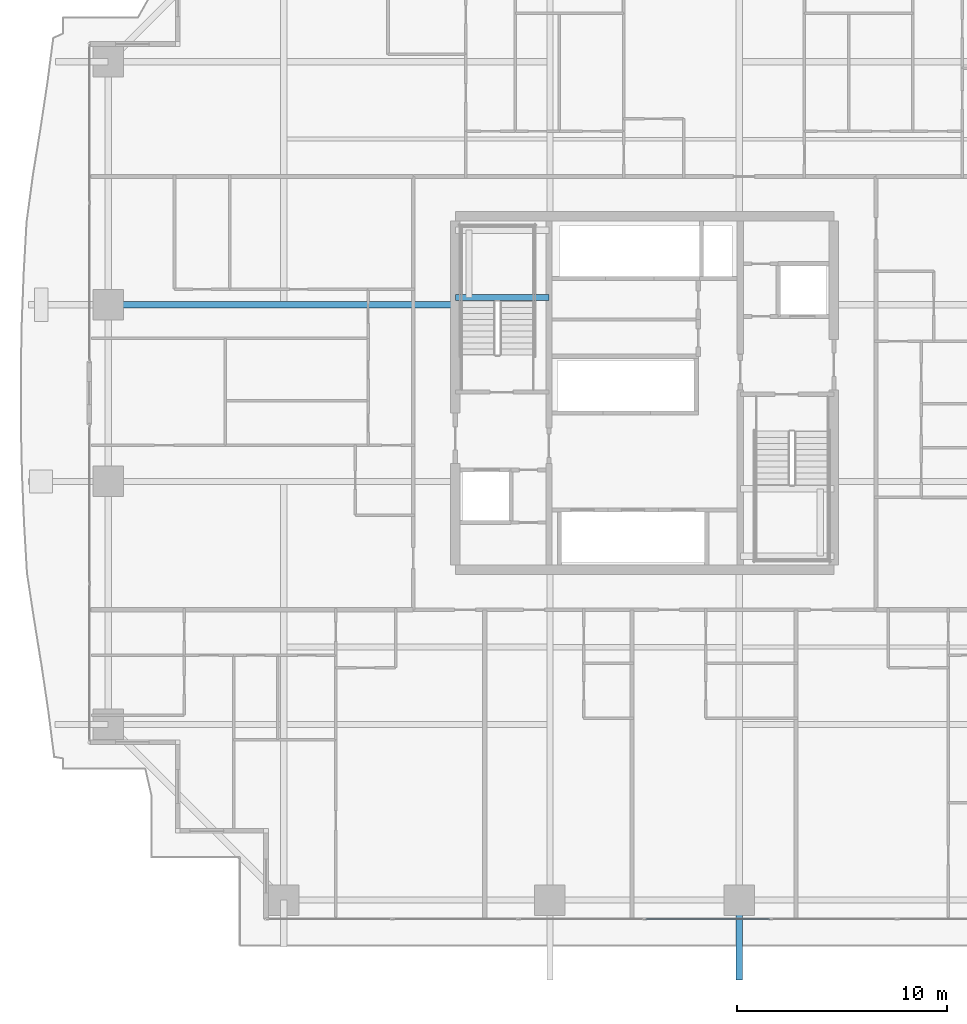
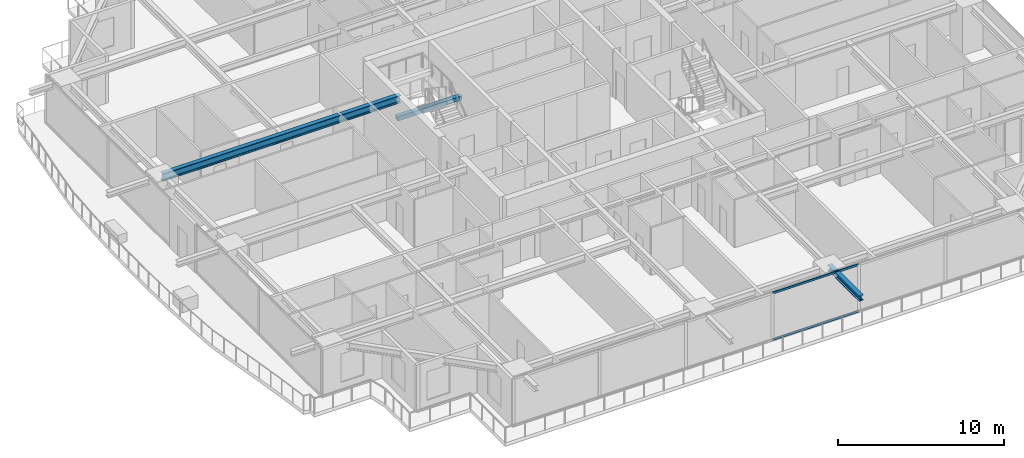
# One storey, part 9 of 35: 3 beams, 2 members, 1 element without a shape of its own.
"""IFC4 building model written with IfcOpenShell, lengths in metres."""

import ifcopenshell
import ifcopenshell.guid

model = None  # the IFC model being written
_history = None  # IfcOwnerHistory: only IFC2X3 demands one
_inside = {}  # id of a spatial element -> (the spatial element, [elements in it])
_under = {}  # id of a project, library or spatial element -> (it, [spatial elements below it])
_declared = {}  # id of a project -> (the project, [libraries it declares])
_typed = {}  # id of a type object -> (the type object, [elements of that type])
_made_of = {}  # id of a material, layer set ... -> (it, [elements and type objects made of it])


def new_model(schema):
    """Start an empty IFC model of exactly this schema.

    Asked for "IFC4X3", IfcOpenShell would pick the latest addendum, in which some entities
    have other attributes; the version numbers below select the first issue.
    IFC2X3 requires an IfcOwnerHistory on every rooted entity: one is made here for all.
    """
    global model, _history
    if schema == "IFC4X3":
        model = ifcopenshell.file(schema_version=(4, 3, 0, 0))
    else:
        model = ifcopenshell.file(schema=schema)
    _inside.clear()
    _under.clear()
    _declared.clear()
    _typed.clear()
    _made_of.clear()
    _history = None
    if model.schema == "IFC2X3":
        org = make("IfcOrganization", Name="unknown")
        user = make(
            "IfcPersonAndOrganization",
            ThePerson=make("IfcPerson", FamilyName="unknown"),
            TheOrganization=org,
        )
        app = make(
            "IfcApplication",
            ApplicationDeveloper=org,
            Version="unknown",
            ApplicationFullName="unknown",
            ApplicationIdentifier="unknown",
        )
        _history = make(
            "IfcOwnerHistory",
            OwningUser=user,
            OwningApplication=app,
            ChangeAction="ADDED",
            CreationDate=0,
        )
    return model


def make(cls, **values):
    """One entity of the class cls with the attributes given. An attribute that is None is left unset."""
    return model.create_entity(
        cls, **{name: value for name, value in values.items() if value is not None}
    )


def rooted(cls, **values):
    """An entity with a GlobalId (a new one), such as an element, a storey or a relation."""
    return make(cls, GlobalId=ifcopenshell.guid.new(), OwnerHistory=_history, **values)


def si_unit(unit_type, name, prefix=None):
    """IfcSIUnit, for example si_unit("LENGTHUNIT", "METRE", prefix="MILLI")."""
    return make("IfcSIUnit", UnitType=unit_type, Prefix=prefix, Name=name)


def assignment(units):
    """IfcUnitAssignment: the units of a project."""
    return None if units is None else make("IfcUnitAssignment", Units=units)


def point(xyz):
    """IfcCartesianPoint."""
    return None if xyz is None else make("IfcCartesianPoint", Coordinates=xyz)


def direction(xyz):
    """IfcDirection."""
    return None if xyz is None else make("IfcDirection", DirectionRatios=xyz)


def frame(location, z_axis=None, x_axis=None):
    """IfcAxis2Placement3D, a coordinate frame: its origin and axes. An axis left out is left unset."""
    return make(
        "IfcAxis2Placement3D",
        Location=point(location),
        Axis=direction(z_axis),
        RefDirection=direction(x_axis),
    )


def frame_2d(location, x_axis=None):
    """IfcAxis2Placement2D, a coordinate frame in the plane: its origin and x axis."""
    return make(
        "IfcAxis2Placement2D", Location=point(location), RefDirection=direction(x_axis)
    )


def origin():
    """The frame at (0, 0, 0) with its axes left unset."""
    return frame((0.0, 0.0, 0.0))


def origin_2d():
    """The frame at (0, 0) in the plane with its x axis left unset."""
    return frame_2d((0.0, 0.0))


def place(relative_to, where):
    """IfcLocalPlacement: puts the frame where relative to a parent placement (None: the world)."""
    return make(
        "IfcLocalPlacement", PlacementRelTo=relative_to, RelativePlacement=where
    )


def context(
    kind, dimensions, precision=None, world=None, true_north=None, identifier=None
):
    """IfcGeometricRepresentationContext, for example the 3D "Model" context."""
    return make(
        "IfcGeometricRepresentationContext",
        ContextIdentifier=identifier,
        ContextType=kind,
        CoordinateSpaceDimension=dimensions,
        Precision=precision,
        WorldCoordinateSystem=world,
        TrueNorth=true_north,
    )


def subcontext(parent, identifier, kind, view, scale=None):
    """IfcGeometricRepresentationSubContext, for example "Body" below "Model"."""
    return make(
        "IfcGeometricRepresentationSubContext",
        ContextIdentifier=identifier,
        ContextType=kind,
        ParentContext=parent,
        TargetScale=scale,
        TargetView=view,
    )


def project(units=None, contexts=None):
    """IfcProject with its units and contexts."""
    return rooted(
        "IfcProject",
        Name="project",
        RepresentationContexts=contexts,
        UnitsInContext=assignment(units),
    )


def spatial(cls, under=None, at=None, **own):
    """A site, building, storey or space (cls), placed at a placement, below another one or the project."""
    s = rooted(cls, ObjectPlacement=at, **own)
    if under is not None:
        _under.setdefault(under.id(), (under, []))[1].append(s)
    return s


def profile(cls, at=None, kind="AREA", **sizes):
    """A parametric profile (cls). Its sizes go by their IFC names, for example OverallWidth=200.0."""
    return make(cls, ProfileType=kind, Position=at, **sizes)


def rectangle(**sizes):
    """IfcRectangleProfileDef."""
    return profile("IfcRectangleProfileDef", **sizes)


def hollow_rectangle(**sizes):
    """IfcRectangleHollowProfileDef."""
    return profile("IfcRectangleHollowProfileDef", **sizes)


def i_section(**sizes):
    """IfcIShapeProfileDef."""
    return profile("IfcIShapeProfileDef", **sizes)


def extrude(swept, where, along, depth):
    """IfcExtrudedAreaSolid: the profile swept, set in the frame where, extruded along a direction by depth."""
    return make(
        "IfcExtrudedAreaSolid",
        SweptArea=swept,
        Position=where,
        ExtrudedDirection=direction(along),
        Depth=depth,
    )


def shape(context_of_items, identifier, shape_type, items):
    """IfcShapeRepresentation: the items that make up one representation, for example the "Body"."""
    return make(
        "IfcShapeRepresentation",
        ContextOfItems=context_of_items,
        RepresentationIdentifier=identifier,
        RepresentationType=shape_type,
        Items=items,
    )


def source(mapping_origin, context_of_items, identifier, shape_type, items):
    """IfcRepresentationMap: a shape defined once, which mapped items show again and again."""
    return make(
        "IfcRepresentationMap",
        MappingOrigin=mapping_origin,
        MappedRepresentation=shape(context_of_items, identifier, shape_type, items),
    )


def transform(
    local_origin,
    x_axis=None,
    y_axis=None,
    z_axis=None,
    scale=None,
    scale2=None,
    scale3=None,
    uniform=True,
):
    """IfcCartesianTransformationOperator3D, or its non-uniform kind. x_axis, y_axis, z_axis: its Axis1, 2, 3."""
    if uniform:
        return make(
            "IfcCartesianTransformationOperator3D",
            Axis1=direction(x_axis),
            Axis2=direction(y_axis),
            LocalOrigin=point(local_origin),
            Scale=scale,
            Axis3=direction(z_axis),
        )
    return make(
        "IfcCartesianTransformationOperator3DnonUniform",
        Axis1=direction(x_axis),
        Axis2=direction(y_axis),
        LocalOrigin=point(local_origin),
        Scale=scale,
        Axis3=direction(z_axis),
        Scale2=scale2,
        Scale3=scale3,
    )


def mapped(mapping_source, mapping_target):
    """IfcMappedItem: shows the shape of a source again, moved by a transform."""
    return make(
        "IfcMappedItem", MappingSource=mapping_source, MappingTarget=mapping_target
    )


def material(Name=None, Category=None):
    """IfcMaterial."""
    return make("IfcMaterial", Name=Name, Category=Category)


def layer(
    of_material, thickness, ventilated=None, Name=None, Category=None, Priority=None
):
    """IfcMaterialLayer: one layer of a wall or slab, of a material (None: an air gap)."""
    return make(
        "IfcMaterialLayer",
        Material=of_material,
        LayerThickness=thickness,
        IsVentilated=ventilated,
        Name=Name,
        Category=Category,
        Priority=Priority,
    )


def layer_set(layers, Name=None):
    """IfcMaterialLayerSet."""
    return make("IfcMaterialLayerSet", MaterialLayers=layers, LayerSetName=Name)


def material_profile(
    of_material, cross_section, Name=None, Category=None, Priority=None
):
    """IfcMaterialProfile: a cross section and its material."""
    return make(
        "IfcMaterialProfile",
        Name=Name,
        Material=of_material,
        Profile=cross_section,
        Priority=Priority,
        Category=Category,
    )


def profile_set(profiles, Name=None, composite=None):
    """IfcMaterialProfileSet."""
    return make(
        "IfcMaterialProfileSet",
        Name=Name,
        MaterialProfiles=profiles,
        CompositeProfile=composite,
    )


def made_of(thing, what):
    """Note that an element or type object is made of a material, layer set ...; save() writes the relation."""
    if what is not None:
        _made_of.setdefault(what.id(), (what, []))[1].append(thing)
    return thing


def type_object(cls, material=None, **own):
    """A type object (cls), such as IfcWallType, which elements share."""
    return made_of(rooted(cls, **own), material)


def element(
    cls,
    number,
    at=None,
    inside=None,
    cuts=None,
    type_object=None,
    material=None,
    context=None,
    identifier="Body",
    shape_type=None,
    held_by="IfcProductDefinitionShape",
    body=None,
    shapes=None,
    **own,
):
    """One element of the class cls, such as IfcWall. Its Tag is "e" and its number.

    at: its placement. inside: the storey or other place that contains it. cuts: it is an
    opening in that element (IfcRelVoidsElement). A single representation is given by context,
    identifier, shape_type and body (its items); several are given by shapes. held_by: the class
    of the entity that holds the representations. save() writes the other relations.
    """
    e = rooted(cls, Tag="e%d" % number, ObjectPlacement=at, **own)
    if body is not None:
        shapes = [shape(context, identifier, shape_type, body)]
    if shapes is not None:
        e.Representation = make(held_by, Representations=shapes)
    if inside is not None:
        _inside.setdefault(inside.id(), (inside, []))[1].append(e)
    if cuts is not None:
        rooted(
            "IfcRelVoidsElement", RelatingBuildingElement=cuts, RelatedOpeningElement=e
        )
    if type_object is not None:
        _typed.setdefault(type_object.id(), (type_object, []))[1].append(e)
    return made_of(e, material)


def aggregate(whole, parts):
    """IfcRelAggregates: a whole, such as a stair, and the parts it consists of."""
    return rooted("IfcRelAggregates", RelatingObject=whole, RelatedObjects=parts)


def save(model, path):
    """Write the relations noted so far, then the file.

    IfcRelAggregates (storeys below a building ...), IfcRelContainedInSpatialStructure (elements
    in a storey), IfcRelDefinesByType, IfcRelAssociatesMaterial and IfcRelDeclares: one each for
    every whole, place, type object, material and project.
    """
    for whole, parts in _under.values():
        aggregate(whole, parts)
    for where, things in _inside.values():
        rooted(
            "IfcRelContainedInSpatialStructure",
            RelatedElements=things,
            RelatingStructure=where,
        )
    for kind, things in _typed.values():
        rooted("IfcRelDefinesByType", RelatedObjects=things, RelatingType=kind)
    for what, things in _made_of.values():
        rooted("IfcRelAssociatesMaterial", RelatedObjects=things, RelatingMaterial=what)
    for by, libraries in _declared.values():
        rooted("IfcRelDeclares", RelatingContext=by, RelatedDefinitions=libraries)
    model.write(path)


model = new_model("IFC4")

# Units and contexts
model_context = context("Model", 3, precision=1e-05, world=origin(), true_north=direction((0.0, 1.0)))
body_context = subcontext(model_context, "Body", "Model", "MODEL_VIEW")
ifc_project = project(units=[si_unit("LENGTHUNIT", "METRE"), si_unit("AREAUNIT", "SQUARE_METRE"), si_unit("VOLUMEUNIT", "CUBIC_METRE"), si_unit("PLANEANGLEUNIT", "RADIAN"), si_unit("MASSUNIT", "GRAM", prefix="KILO")], contexts=[model_context])

# Site, building, storey
site_placement = place(None, origin())
site = spatial("IfcSite", under=ifc_project, at=site_placement, CompositionType="ELEMENT")
building_placement = place(site_placement, origin())
building = spatial("IfcBuilding", under=site, at=building_placement, Name="Serunith Strait Residences", CompositionType="ELEMENT")
storey_placement = place(building_placement, frame((0.0, 0.0, 56.699951171875)))
storey = spatial("IfcBuildingStorey", under=building, at=storey_placement, Name="L13", CompositionType="ELEMENT", Elevation=56.699951171875)

# Beams
ifc_material_1 = material(Name="Steel S355J2", Category="steel")
ifc_material_profile_1 = material_profile(ifc_material_1, i_section(OverallWidth=0.300048828125, OverallDepth=0.550048828125, WebThickness=0.014892578125, FlangeThickness=0.029052734375, FilletRadius=0.027099609375, at=origin_2d()), Name="HEB 550")
ifc_profile_set_1 = profile_set([ifc_material_profile_1], Name="Steel S355J2")
beam_type_1 = type_object("IfcBeamType", Name="BM-HEB550", PredefinedType="BEAM", material=ifc_profile_set_1)
shared_shape_1 = source(origin(), body_context, "Body", "SweptSolid", [
    extrude(i_section(OverallWidth=0.300048828125, OverallDepth=0.550048828125, WebThickness=0.014892578125, FlangeThickness=0.029052734375, FilletRadius=0.027099609375, at=origin_2d()), origin(), (0.0, 0.0, 1.0), 16.5),
])
beam_1_placement = place(storey_placement, frame((23.39990234375, 29.39990234375, 3.212158203125), z_axis=(-1.0, 0.0, 0.0), x_axis=(0.0, -1.0, 0.0)))
element("IfcBeam", 1, at=beam_1_placement, inside=storey, type_object=beam_type_1, Name="L13 Primary Floor Girder TC-W3", PredefinedType="BEAM", context=body_context, shape_type="MappedRepresentation", body=[
    mapped(shared_shape_1, transform((0.0, 0.0, 0.0), scale=1.0)),
])
ifc_material_profile_2 = material_profile(ifc_material_1, i_section(OverallWidth=0.300048828125, OverallDepth=0.39990234375, WebThickness=0.013427734375, FlangeThickness=0.02392578125, FilletRadius=0.027099609375, at=origin_2d()), Name="HEB 400")
ifc_profile_set_2 = profile_set([ifc_material_profile_2], Name="Steel S355J2")
beam_type_2 = type_object("IfcBeamType", Name="BM-HEB400", PredefinedType="BEAM", material=ifc_profile_set_2)
shared_shape_2 = source(origin(), body_context, "Body", "SweptSolid", [
    extrude(i_section(OverallWidth=0.300048828125, OverallDepth=0.39990234375, WebThickness=0.013427734375, FlangeThickness=0.02392578125, FilletRadius=0.027099609375, at=origin_2d()), origin(), (0.0, 0.0, 1.0), 3.800048828125),
])
beam_2_placement = place(storey_placement, frame((36.89990234375, 1.10009765625, 3.257080078125), z_axis=(0.0, -1.0, 0.0), x_axis=(1.0, 0.0, 0.0)))
element("IfcBeam", 2, at=beam_2_placement, inside=storey, type_object=beam_type_2, Name="L14 Cantilevered Balcony Rib TC-S3", PredefinedType="BEAM", context=body_context, shape_type="MappedRepresentation", body=[
    mapped(shared_shape_2, transform((0.0, 0.0, 0.0), scale=1.0)),
])
ifc_material_2 = material(Name="Concrete C60/75", Category="concrete")
ifc_material_profile_3 = material_profile(ifc_material_2, rectangle(XDim=0.300048828125, YDim=0.300048828125, at=origin_2d()), Name="RC 300x300")
ifc_profile_set_3 = profile_set([ifc_material_profile_3], Name="Concrete C60/75")
beam_type_3 = type_object("IfcBeamType", Name="BM-LAND-300x300", PredefinedType="BEAM", material=ifc_profile_set_3)
shared_shape_3 = source(origin(), body_context, "Body", "SweptSolid", [
    extrude(rectangle(XDim=0.300048828125, YDim=0.300048828125, at=origin_2d()), origin(), (0.0, 0.0, 1.0), 4.4501953125),
])
beam_3_placement = place(storey_placement, frame((23.39990234375, 29.75, 1.525146484375), z_axis=(1.0, 0.0, 0.0), x_axis=(0.0, 1.0, 0.0)))
element("IfcBeam", 3, at=beam_3_placement, inside=storey, type_object=beam_type_3, Name="L13 ST-1 Landing Support Beam 1", PredefinedType="BEAM", context=body_context, shape_type="MappedRepresentation", body=[
    mapped(shared_shape_3, transform((0.0, 0.0, 0.0), scale=1.0)),
])

# Curtain wall, members
ifc_material_3 = material(Name="Pale-Champagne Anodised Aluminium", Category="aluminium")
ifc_layer = layer(ifc_material_3, 0.199951171875, Name="Pale-Champagne Anodised Aluminium")
ifc_layer_set = layer_set([ifc_layer], Name="Pale-Champagne Anodised Aluminium")
curtain_wall_type = type_object("IfcCurtainWallType", Name="CW-SYS1", PredefinedType="NOTDEFINED", material=ifc_layer_set)
curtain_wall_placement = place(storey_placement, origin())
curtain_wall = element("IfcCurtainWall", 4, at=curtain_wall_placement, inside=storey, type_object=curtain_wall_type, Name="L13 S Unitised Fritted Curtain Wall", PredefinedType="NOTDEFINED")
ifc_material_profile_4 = material_profile(ifc_material_3, hollow_rectangle(XDim=0.06005859375, YDim=0.159912109375, WallThickness=0.00341796875, InnerFilletRadius=0.00537109375, OuterFilletRadius=0.0087890625, at=origin_2d()), Name="ALU 160x60x3.5")
ifc_profile_set_4 = profile_set([ifc_material_profile_4], Name="Pale-Champagne Anodised Aluminium")
member_type = type_object("IfcMemberType", Name="CW-SYS1-TRAN", PredefinedType="USERDEFINED", material=ifc_profile_set_4)
shared_shape_4 = source(origin(), body_context, "Body", "SweptSolid", [
    extrude(hollow_rectangle(XDim=0.06005859375, YDim=0.159912109375, WallThickness=0.00341796875, InnerFilletRadius=0.00537109375, OuterFilletRadius=0.0087890625, at=origin_2d()), origin(), (0.0, 0.0, 1.0), 5.929931640625),
])
member_1_placement = place(storey_placement, frame((32.43505859375, 0.199951171875, 0.030029296875), z_axis=(1.0, 0.0, 0.0), x_axis=(0.0, 1.0, 0.0)))
member_1 = element("IfcMember", 5, at=member_1_placement, type_object=member_type, Name="CW-1 transom 4.1", ObjectType="TRANSOM", PredefinedType="USERDEFINED", context=body_context, shape_type="MappedRepresentation", body=[
    mapped(shared_shape_4, transform((0.0, 0.0, 0.0), scale=1.0)),
])
member_2_placement = place(storey_placement, frame((32.43505859375, 0.199951171875, 3.445068359375), z_axis=(1.0, 0.0, 0.0), x_axis=(0.0, 1.0, 0.0)))
member_2 = element("IfcMember", 6, at=member_2_placement, type_object=member_type, Name="CW-1 transom 4.2", ObjectType="TRANSOM", PredefinedType="USERDEFINED", context=body_context, shape_type="MappedRepresentation", body=[
    mapped(shared_shape_4, transform((0.0, 0.0, 0.0), scale=1.0)),
])
aggregate(curtain_wall, [member_1, member_2])

save(model, "model.ifc")
